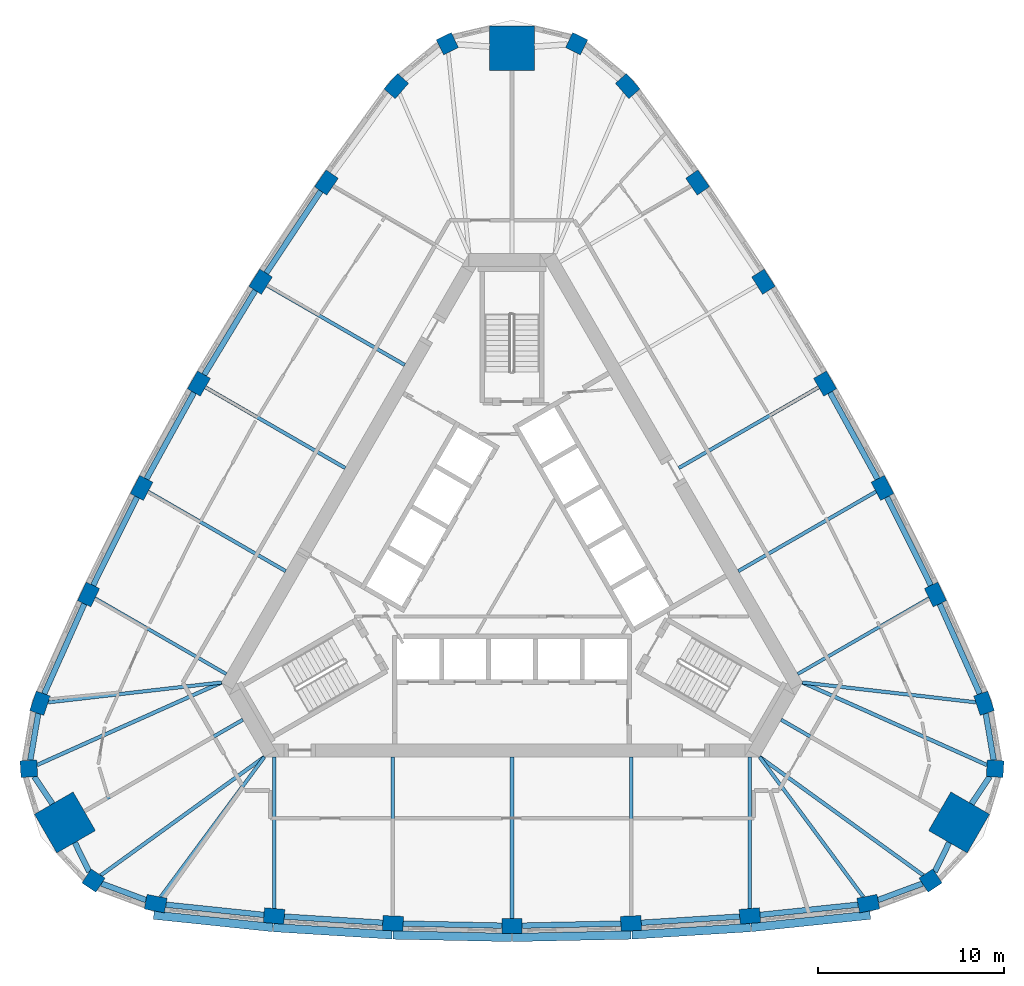
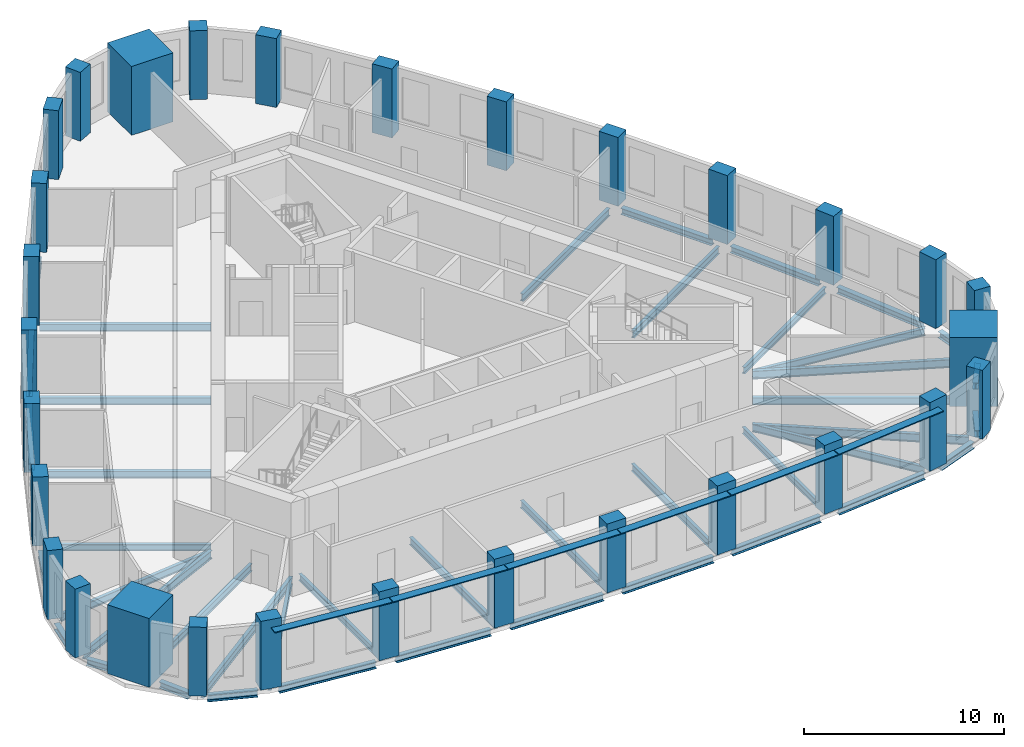
# One storey, part 1 of 11: 44 beams, 30 columns, 6 members.
"""IFC4 building model written with IfcOpenShell, lengths in metres."""

from ifc_helpers import new_model, si_unit, direction, frame, origin, origin_2d, place, context, subcontext, project, spatial, rectangle, i_section, extrude, material, material_profile, profile_set, type_object, element, save


model = new_model("IFC4")

# Units and contexts
model_context = context("Model", 3, precision=1e-05, world=origin(), true_north=direction((0.0, 1.0)))
body_context = subcontext(model_context, "Body", "Model", "MODEL_VIEW")
ifc_project = project(units=[si_unit("LENGTHUNIT", "METRE"), si_unit("AREAUNIT", "SQUARE_METRE"), si_unit("VOLUMEUNIT", "CUBIC_METRE"), si_unit("PLANEANGLEUNIT", "RADIAN"), si_unit("MASSUNIT", "GRAM", prefix="KILO")], contexts=[model_context])

# Site, building, storey
site_placement = place(None, origin())
site = spatial("IfcSite", under=ifc_project, at=site_placement, CompositionType="ELEMENT")
building_placement = place(site_placement, origin())
building = spatial("IfcBuilding", under=site, at=building_placement, Name="Mestral Congress Tower", CompositionType="ELEMENT")
storey_placement = place(building_placement, frame((0.0, 0.0, 210.0)))
storey = spatial("IfcBuildingStorey", under=building, at=storey_placement, Name="L49", CompositionType="ELEMENT", Elevation=210.0)

# Columns
ifc_material_1 = material(Name="Concrete C60/75", Category="concrete")
ifc_material_profile_1 = material_profile(ifc_material_1, rectangle(XDim=1.10009765625, YDim=0.800048828125, at=origin_2d()), Name="RC 1100x800")
ifc_profile_set_1 = profile_set([ifc_material_profile_1], Name="Concrete C60/75")
column_type_1 = type_object("IfcColumnType", Name="Column RC 1100x800 C60/75", PredefinedType="COLUMN", material=ifc_profile_set_1)
for number, where, z_axis, x_axis, name in (
    (1, (-19.150390625, -18.23681640625, 0.0), (0.0, 0.0, 1.0), (0.981324571854, -0.192359259395, 0.0), "COL-L49-C4-S00"),
    (2, (-12.785400390625, -18.899658203125, 0.0), (0.0, 0.0, 1.0), (0.996556680667, -0.082914306473, 0.0), "COL-L49-C4-S01"),
    (3, (-6.398193359375, -19.2978515625, 0.0), (0.0, 0.0, 1.0), (0.999138835542, -0.041492015025, 0.0), "COL-L49-C4-S02"),
    (4, (0.0, -19.4306640625, 0.0), (0.0, 0.0, 1.0), (1.0, 0.0, 0.0), "COL-L49-C4-S03"),
    (5, (6.398193359375, -19.2978515625, 0.0), (0.0, 0.0, 1.0), (0.999138835542, 0.041492015025, 0.0), "COL-L49-C4-S04"),
    (6, (12.785400390625, -18.899658203125, 0.0), (0.0, 0.0, 1.0), (0.996556680667, 0.082914306473, 0.0), "COL-L49-C4-S05"),
    (7, (19.150390625, -18.23681640625, 0.0), (0.0, 0.0, 1.0), (0.981324571854, 0.192359259395, 0.0), "COL-L49-C4-S06"),
    (8, (25.368896484375, -7.46630859375, 0.0), (0.0, 0.0, 1.0), (-0.324074280638, 0.946031638281, 0.0), "COL-L49-C4-E00"),
    (9, (22.76025390625, -1.62255859375, 0.0), (0.0, 0.0, 1.0), (-0.426472444591, 0.904500555005, 0.0), "COL-L49-C4-E01"),
    (10, (19.91162109375, 4.10791015625, 0.0), (0.0, 0.0, 1.0), (-0.463636278705, 0.886025621, 0.0), "COL-L49-C4-E02"),
    (11, (16.827392578125, 9.71533203125, 0.0), (0.0, 0.0, 1.0), (-0.5, 0.866025403784, 0.0), "COL-L49-C4-E03"),
    (12, (13.51318359375, 15.18994140625, 0.0), (0.0, 0.0, 1.0), (-0.535502556837, 0.844533605975, 0.0), "COL-L49-C4-E04"),
    (13, (9.974853515625, 20.522216796875, 0.0), (0.0, 0.0, 1.0), (-0.570084236076, 0.821586248532, 0.0), "COL-L49-C4-E05"),
    (14, (6.218505859375, 25.703125, 0.0), (0.0, 0.0, 1.0), (-0.657250291216, 0.753672378886, 0.0), "COL-L49-C4-E06"),
    (15, (-6.218505859375, 25.703125, 0.0), (0.0, 0.0, 1.0), (-0.657250291216, -0.753672378886, 0.0), "COL-L49-C4-W00"),
    (16, (-9.974853515625, 20.522216796875, 0.0), (0.0, 0.0, 1.0), (-0.570084236076, -0.821586248532, 0.0), "COL-L49-C4-W01"),
    (17, (-13.51318359375, 15.18994140625, 0.0), (0.0, 0.0, 1.0), (-0.535502556837, -0.844533605975, 0.0), "COL-L49-C4-W02"),
    (18, (-16.827392578125, 9.71533203125, 0.0), (0.0, 0.0, 1.0), (-0.5, -0.866025403784, 0.0), "COL-L49-C4-W03"),
    (19, (-19.91162109375, 4.10791015625, 0.0), (0.0, 0.0, 1.0), (-0.463636278705, -0.886025621, 0.0), "COL-L49-C4-W04"),
    (20, (-22.76025390625, -1.62255859375, 0.0), (0.0, 0.0, 1.0), (-0.426472444591, -0.904500555005, 0.0), "COL-L49-C4-W05"),
    (21, (-25.368896484375, -7.46630859375, 0.0), (0.0, 0.0, 1.0), (-0.324074280638, -0.946031638281, 0.0), "COL-L49-C4-W06"),
):
    element("IfcColumn", number, at=place(storey_placement, frame(where, z_axis=z_axis, x_axis=x_axis)), inside=storey, type_object=column_type_1, Name=name, PredefinedType="COLUMN", context=body_context, shape_type="SweptSolid", body=[
        extrude(rectangle(XDim=1.10009765625, YDim=0.800048828125, at=origin_2d()), origin(), (0.0, 0.0, 1.0), 4.199951171875),
    ])
ifc_material_profile_2 = material_profile(ifc_material_1, rectangle(XDim=0.89990234375, YDim=0.89990234375, at=origin_2d()), Name="RC 900x900")
ifc_profile_set_2 = profile_set([ifc_material_profile_2], Name="Concrete C60/75")
column_type_2 = type_object("IfcColumnType", Name="Column RC 900x900 C60/75", PredefinedType="COLUMN", material=ifc_profile_set_2)
for number, where, z_axis, x_axis, name in (
    (22, (22.494384765625, -16.99658203125, 0.0), (0.0, 0.0, 1.0), (0.833238868178, 0.552913183563, 0.0), "COL-L49-C4-SE1"),
    (23, (25.966552734375, -10.982421875, 0.0), (0.0, 0.0, 1.0), (0.062217428964, 0.998062619044, 0.0), "COL-L49-C4-SE3"),
    (24, (3.47216796875, 27.97900390625, 0.0), (0.0, 0.0, 1.0), (-0.895456297142, 0.445149435481, 0.0), "COL-L49-C4-N1"),
    (25, (-3.47216796875, 27.97900390625, 0.0), (0.0, 0.0, 1.0), (-0.895456297142, -0.445149435481, 0.0), "COL-L49-C4-N3"),
    (26, (-25.966552734375, -10.982421875, 0.0), (0.0, 0.0, 1.0), (0.062217428964, -0.998062619044, 0.0), "COL-L49-C4-SW1"),
    (27, (-22.494384765625, -16.99658203125, 0.0), (0.0, 0.0, 1.0), (0.833238868178, -0.552913183563, 0.0), "COL-L49-C4-SW3"),
):
    element("IfcColumn", number, at=place(storey_placement, frame(where, z_axis=z_axis, x_axis=x_axis)), inside=storey, type_object=column_type_2, Name=name, PredefinedType="COLUMN", context=body_context, shape_type="SweptSolid", body=[
        extrude(rectangle(XDim=0.89990234375, YDim=0.89990234375, at=origin_2d()), origin(), (0.0, 0.0, 1.0), 4.199951171875),
    ])
ifc_material_2 = material(Name="Concrete C70/85", Category="concrete")
ifc_material_profile_3 = material_profile(ifc_material_2, rectangle(XDim=2.39990234375, YDim=2.39990234375, at=origin_2d()), Name="RC 2400x2400")
ifc_profile_set_3 = profile_set([ifc_material_profile_3], Name="Concrete C70/85")
column_type_3 = type_object("IfcColumnType", Name="Mega column RC 2400x2400 C70/85", PredefinedType="COLUMN", material=ifc_profile_set_3)
for number, where, z_axis, x_axis, name in (
    (28, (24.02734375, -13.872314453125, 0.0), (0.0, 0.0, 1.0), (0.866025403784, -0.5, 0.0), "COL-L49-PY4-SE"),
    (29, (0.0, 27.744384765625, 0.0), (0.0, 0.0, 1.0), (0.0, 1.0, 0.0), "COL-L49-PY4-N"),
    (30, (-24.02734375, -13.872314453125, 0.0), (0.0, 0.0, 1.0), (-0.866025403784, -0.5, 0.0), "COL-L49-PY4-SW"),
):
    element("IfcColumn", number, at=place(storey_placement, frame(where, z_axis=z_axis, x_axis=x_axis)), inside=storey, type_object=column_type_3, Name=name, PredefinedType="COLUMN", context=body_context, shape_type="SweptSolid", body=[
        extrude(rectangle(XDim=2.39990234375, YDim=2.39990234375, at=origin_2d()), origin(), (0.0, 0.0, 1.0), 4.199951171875),
    ])

# Members
ifc_material_3 = material(Name="Glazed ceramic", Category="masonry")
ifc_material_profile_4 = material_profile(ifc_material_3, rectangle(XDim=0.449951171875, YDim=0.06005859375, at=origin_2d()), Name="Ceramic blade 450 x 60")
ifc_profile_set_4 = profile_set([ifc_material_profile_4], Name="Glazed ceramic")
member_type = type_object("IfcMemberType", Name="Facade sunshade blade 450 x 60", PredefinedType="USERDEFINED", material=ifc_profile_set_4)
member_1_placement = place(storey_placement, frame((-19.251708984375, -18.8544921875, 3.679931640625), z_axis=(0.994617919471, -0.103610782581, 0.0), x_axis=(0.103610782581, 0.994617919471, 0.0)))
element("IfcMember", 31, at=member_1_placement, inside=storey, type_object=member_type, Name="Sunshade F0-00", ObjectType="SUNSHADE", PredefinedType="USERDEFINED", context=body_context, shape_type="SweptSolid", body=[
    extrude(rectangle(XDim=0.449951171875, YDim=0.06005859375, at=origin_2d()), origin(), (0.0, 0.0, 1.0), 6.42578125),
])
member_2_placement = place(storey_placement, frame((-12.8134765625, -19.524169921875, 3.679931640625), z_axis=(0.99806373271, -0.062199561482, 0.0), x_axis=(0.062199561482, 0.99806373271, 0.0)))
element("IfcMember", 32, at=member_2_placement, inside=storey, type_object=member_type, Name="Sunshade F0-01", ObjectType="SUNSHADE", PredefinedType="USERDEFINED", context=body_context, shape_type="SweptSolid", body=[
    extrude(rectangle(XDim=0.449951171875, YDim=0.06005859375, at=origin_2d()), origin(), (0.0, 0.0, 1.0), 6.37841796875),
])
for number, where, z_axis, x_axis, name in (
    (33, (-6.400390625, -19.9228515625, 3.679931640625), (0.99978476383, -0.0207467109, 0.0), (0.0207467109, 0.99978476383, 0.0), "Sunshade F0-02"),
    (34, (0.023681640625, -20.05517578125, 3.679931640625), (0.99978476383, 0.0207467109, 0.0), (-0.0207467109, 0.99978476383, 0.0), "Sunshade F0-03"),
):
    element("IfcMember", number, at=place(storey_placement, frame(where, z_axis=z_axis, x_axis=x_axis)), inside=storey, type_object=member_type, Name=name, ObjectType="SUNSHADE", PredefinedType="USERDEFINED", context=body_context, shape_type="SweptSolid", body=[
        extrude(rectangle(XDim=0.449951171875, YDim=0.06005859375, at=origin_2d()), origin(), (0.0, 0.0, 1.0), 6.378173828125),
    ])
member_3_placement = place(storey_placement, frame((6.447509765625, -19.9208984375, 3.679931640625), z_axis=(0.99806373271, 0.062199561482, 0.0), x_axis=(-0.062199561482, 0.99806373271, 0.0)))
element("IfcMember", 35, at=member_3_placement, inside=storey, type_object=member_type, Name="Sunshade F0-04", ObjectType="SUNSHADE", PredefinedType="USERDEFINED", context=body_context, shape_type="SweptSolid", body=[
    extrude(rectangle(XDim=0.449951171875, YDim=0.06005859375, at=origin_2d()), origin(), (0.0, 0.0, 1.0), 6.37841796875),
])
member_4_placement = place(storey_placement, frame((12.860595703125, -19.520263671875, 3.679931640625), z_axis=(0.994617919471, 0.103610782581, 0.0), x_axis=(-0.103610782581, 0.994617919471, 0.0)))
element("IfcMember", 36, at=member_4_placement, inside=storey, type_object=member_type, Name="Sunshade F0-05", ObjectType="SUNSHADE", PredefinedType="USERDEFINED", context=body_context, shape_type="SweptSolid", body=[
    extrude(rectangle(XDim=0.449951171875, YDim=0.06005859375, at=origin_2d()), origin(), (0.0, 0.0, 1.0), 6.42578125),
])

# Beams
ifc_material_4 = material(Name="Steel S355", Category="steel")
ifc_material_profile_5 = material_profile(ifc_material_4, i_section(OverallWidth=0.179931640625, OverallDepth=0.39990234375, WebThickness=0.008544921875, FlangeThickness=0.013427734375, FilletRadius=0.02099609375, at=origin_2d()), Name="IPE 400")
ifc_profile_set_5 = profile_set([ifc_material_profile_5], Name="Steel S355")
beam_type_1 = type_object("IfcBeamType", Name="Floor beam IPE 400 S355", PredefinedType="BEAM", material=ifc_profile_set_5)
for number, where, z_axis, x_axis, name in (
    (37, (-12.785400390625, -18.498291015625, -0.449951171875), (0.0, 1.0, 0.0), (-1.0, 0.0, 0.0), "BM-L49-RB4-S01"),
    (38, (12.785400390625, -18.498291015625, -0.449951171875), (0.0, 1.0, 0.0), (-1.0, 0.0, 0.0), "BM-L49-RB4-S05"),
):
    element("IfcBeam", number, at=place(storey_placement, frame(where, z_axis=z_axis, x_axis=x_axis)), inside=storey, type_object=beam_type_1, Name=name, PredefinedType="BEAM", context=body_context, shape_type="SweptSolid", body=[
        extrude(i_section(OverallWidth=0.179931640625, OverallDepth=0.39990234375, WebThickness=0.008544921875, FlangeThickness=0.013427734375, FilletRadius=0.02099609375, at=origin_2d()), origin(), (0.0, 0.0, 1.0), 8.148193359375),
    ])
for number, where, z_axis, x_axis, name in (
    (39, (22.41259765625, -1.8232421875, -0.449951171875), (-0.866021929094, -0.500006018292, 0.0), (0.500006018292, -0.866021929094, 0.0), "BM-L49-RB4-E01"),
    (40, (-22.41259765625, -1.8232421875, -0.449951171875), (0.866021929094, -0.500006018292, 0.0), (0.500006018292, 0.866021929094, 0.0), "BM-L49-RB4-W05"),
):
    element("IfcBeam", number, at=place(storey_placement, frame(where, z_axis=z_axis, x_axis=x_axis)), inside=storey, type_object=beam_type_1, Name=name, PredefinedType="BEAM", context=body_context, shape_type="SweptSolid", body=[
        extrude(i_section(OverallWidth=0.179931640625, OverallDepth=0.39990234375, WebThickness=0.008544921875, FlangeThickness=0.013427734375, FilletRadius=0.02099609375, at=origin_2d()), origin(), (0.0, 0.0, 1.0), 8.1484375),
    ])
ifc_material_profile_6 = material_profile(ifc_material_4, i_section(OverallWidth=0.18994140625, OverallDepth=0.449951171875, WebThickness=0.009521484375, FlangeThickness=0.0146484375, FilletRadius=0.02099609375, at=origin_2d()), Name="IPE 450")
ifc_profile_set_6 = profile_set([ifc_material_profile_6], Name="Steel S355")
beam_type_2 = type_object("IfcBeamType", Name="Floor beam IPE 450 S355", PredefinedType="BEAM", material=ifc_profile_set_6)
beam_1_placement = place(storey_placement, frame((-18.88671875, -17.880859375, -0.47509765625), z_axis=(0.595263059859, 0.803530888994, 0.0), x_axis=(-0.803530888994, 0.595263059859, 0.0)))
element("IfcBeam", 41, at=beam_1_placement, inside=storey, type_object=beam_type_2, Name="BM-L49-RB4-S00", PredefinedType="BEAM", context=body_context, shape_type="SweptSolid", body=[
    extrude(i_section(OverallWidth=0.18994140625, OverallDepth=0.449951171875, WebThickness=0.009521484375, FlangeThickness=0.0146484375, FilletRadius=0.02099609375, at=origin_2d()), origin(), (0.0, 0.0, 1.0), 9.3720703125),
])
beam_2_placement = place(storey_placement, frame((-6.398193359375, -18.8974609375, -0.47509765625), z_axis=(0.0, 1.0, 0.0), x_axis=(-1.0, 0.0, 0.0)))
element("IfcBeam", 42, at=beam_2_placement, inside=storey, type_object=beam_type_2, Name="BM-L49-RB4-S02", PredefinedType="BEAM", context=body_context, shape_type="SweptSolid", body=[
    extrude(i_section(OverallWidth=0.18994140625, OverallDepth=0.449951171875, WebThickness=0.009521484375, FlangeThickness=0.0146484375, FilletRadius=0.02099609375, at=origin_2d()), origin(), (0.0, 0.0, 1.0), 8.54736328125),
])
beam_3_placement = place(storey_placement, frame((0.0, -19.030517578125, -0.47509765625), z_axis=(0.0, 1.0, 0.0), x_axis=(-1.0, 0.0, 0.0)))
element("IfcBeam", 43, at=beam_3_placement, inside=storey, type_object=beam_type_2, Name="BM-L49-RB4-S03", PredefinedType="BEAM", context=body_context, shape_type="SweptSolid", body=[
    extrude(i_section(OverallWidth=0.18994140625, OverallDepth=0.449951171875, WebThickness=0.009521484375, FlangeThickness=0.0146484375, FilletRadius=0.02099609375, at=origin_2d()), origin(), (0.0, 0.0, 1.0), 8.680419921875),
])
beam_4_placement = place(storey_placement, frame((6.398193359375, -18.8974609375, -0.47509765625), z_axis=(0.0, 1.0, 0.0), x_axis=(-1.0, 0.0, 0.0)))
element("IfcBeam", 44, at=beam_4_placement, inside=storey, type_object=beam_type_2, Name="BM-L49-RB4-S04", PredefinedType="BEAM", context=body_context, shape_type="SweptSolid", body=[
    extrude(i_section(OverallWidth=0.18994140625, OverallDepth=0.449951171875, WebThickness=0.009521484375, FlangeThickness=0.0146484375, FilletRadius=0.02099609375, at=origin_2d()), origin(), (0.0, 0.0, 1.0), 8.54736328125),
])
beam_5_placement = place(storey_placement, frame((18.88671875, -17.880859375, -0.47509765625), z_axis=(-0.595263059859, 0.803530888994, 0.0), x_axis=(-0.803530888994, -0.595263059859, 0.0)))
element("IfcBeam", 45, at=beam_5_placement, inside=storey, type_object=beam_type_2, Name="BM-L49-RB4-S06", PredefinedType="BEAM", context=body_context, shape_type="SweptSolid", body=[
    extrude(i_section(OverallWidth=0.18994140625, OverallDepth=0.449951171875, WebThickness=0.009521484375, FlangeThickness=0.0146484375, FilletRadius=0.02099609375, at=origin_2d()), origin(), (0.0, 0.0, 1.0), 9.3720703125),
])
beam_6_placement = place(storey_placement, frame((22.98828125, -13.272216796875, -0.47509765625), z_axis=(-0.866021631874, 0.500006533084, 0.0), x_axis=(-0.500006533084, -0.866021631874, 0.0)))
element("IfcBeam", 46, at=beam_6_placement, inside=storey, type_object=beam_type_2, Name="BM-L49-RB4-SE", PredefinedType="BEAM", context=body_context, shape_type="SweptSolid", body=[
    extrude(i_section(OverallWidth=0.18994140625, OverallDepth=0.449951171875, WebThickness=0.009521484375, FlangeThickness=0.0146484375, FilletRadius=0.02099609375, at=origin_2d()), origin(), (0.0, 0.0, 1.0), 9.844482421875),
])
beam_7_placement = place(storey_placement, frame((24.9287109375, -7.416015625, -0.47509765625), z_axis=(-0.99351166529, 0.11373025513, 0.0), x_axis=(-0.11373025513, -0.99351166529, 0.0)))
element("IfcBeam", 47, at=beam_7_placement, inside=storey, type_object=beam_type_2, Name="BM-L49-RB4-E00", PredefinedType="BEAM", context=body_context, shape_type="SweptSolid", body=[
    extrude(i_section(OverallWidth=0.18994140625, OverallDepth=0.449951171875, WebThickness=0.009521484375, FlangeThickness=0.0146484375, FilletRadius=0.02099609375, at=origin_2d()), origin(), (0.0, 0.0, 1.0), 9.372314453125),
])
beam_8_placement = place(storey_placement, frame((19.564697265625, 3.90771484375, -0.47509765625), z_axis=(-0.866028621479, -0.499994426748, 0.0), x_axis=(0.499994426748, -0.866028621479, 0.0)))
element("IfcBeam", 48, at=beam_8_placement, inside=storey, type_object=beam_type_2, Name="BM-L49-RB4-E02", PredefinedType="BEAM", context=body_context, shape_type="SweptSolid", body=[
    extrude(i_section(OverallWidth=0.18994140625, OverallDepth=0.449951171875, WebThickness=0.009521484375, FlangeThickness=0.0146484375, FilletRadius=0.02099609375, at=origin_2d()), origin(), (0.0, 0.0, 1.0), 8.54736328125),
])
beam_9_placement = place(storey_placement, frame((16.48095703125, 9.515380859375, -0.47509765625), z_axis=(-0.866022596503, -0.500004862322, 0.0), x_axis=(0.500004862322, -0.866022596503, 0.0)))
element("IfcBeam", 49, at=beam_9_placement, inside=storey, type_object=beam_type_2, Name="BM-L49-RB4-E03", PredefinedType="BEAM", context=body_context, shape_type="SweptSolid", body=[
    extrude(i_section(OverallWidth=0.18994140625, OverallDepth=0.449951171875, WebThickness=0.009521484375, FlangeThickness=0.0146484375, FilletRadius=0.02099609375, at=origin_2d()), origin(), (0.0, 0.0, 1.0), 8.6806640625),
])
beam_10_placement = place(storey_placement, frame((-13.16650390625, 14.98974609375, -0.47509765625), z_axis=(0.866028621479, -0.499994426748, 0.0), x_axis=(0.499994426748, 0.866028621479, 0.0)))
element("IfcBeam", 50, at=beam_10_placement, inside=storey, type_object=beam_type_2, Name="BM-L49-RB4-W02", PredefinedType="BEAM", context=body_context, shape_type="SweptSolid", body=[
    extrude(i_section(OverallWidth=0.18994140625, OverallDepth=0.449951171875, WebThickness=0.009521484375, FlangeThickness=0.0146484375, FilletRadius=0.02099609375, at=origin_2d()), origin(), (0.0, 0.0, 1.0), 8.54736328125),
])
beam_11_placement = place(storey_placement, frame((-16.48095703125, 9.515380859375, -0.47509765625), z_axis=(0.866022596503, -0.500004862322, 0.0), x_axis=(0.500004862322, 0.866022596503, 0.0)))
element("IfcBeam", 51, at=beam_11_placement, inside=storey, type_object=beam_type_2, Name="BM-L49-RB4-W03", PredefinedType="BEAM", context=body_context, shape_type="SweptSolid", body=[
    extrude(i_section(OverallWidth=0.18994140625, OverallDepth=0.449951171875, WebThickness=0.009521484375, FlangeThickness=0.0146484375, FilletRadius=0.02099609375, at=origin_2d()), origin(), (0.0, 0.0, 1.0), 8.6806640625),
])
beam_12_placement = place(storey_placement, frame((-19.564697265625, 3.90771484375, -0.47509765625), z_axis=(0.866028621479, -0.499994426748, 0.0), x_axis=(0.499994426748, 0.866028621479, 0.0)))
element("IfcBeam", 52, at=beam_12_placement, inside=storey, type_object=beam_type_2, Name="BM-L49-RB4-W04", PredefinedType="BEAM", context=body_context, shape_type="SweptSolid", body=[
    extrude(i_section(OverallWidth=0.18994140625, OverallDepth=0.449951171875, WebThickness=0.009521484375, FlangeThickness=0.0146484375, FilletRadius=0.02099609375, at=origin_2d()), origin(), (0.0, 0.0, 1.0), 8.54736328125),
])
beam_13_placement = place(storey_placement, frame((-24.9287109375, -7.416015625, -0.47509765625), z_axis=(0.99351166529, 0.11373025513, 0.0), x_axis=(-0.11373025513, 0.99351166529, 0.0)))
element("IfcBeam", 53, at=beam_13_placement, inside=storey, type_object=beam_type_2, Name="BM-L49-RB4-W06", PredefinedType="BEAM", context=body_context, shape_type="SweptSolid", body=[
    extrude(i_section(OverallWidth=0.18994140625, OverallDepth=0.449951171875, WebThickness=0.009521484375, FlangeThickness=0.0146484375, FilletRadius=0.02099609375, at=origin_2d()), origin(), (0.0, 0.0, 1.0), 9.372314453125),
])
beam_14_placement = place(storey_placement, frame((-22.98828125, -13.272216796875, -0.47509765625), z_axis=(0.866021631874, 0.500006533084, 0.0), x_axis=(-0.500006533084, 0.866021631874, 0.0)))
element("IfcBeam", 54, at=beam_14_placement, inside=storey, type_object=beam_type_2, Name="BM-L49-RB4-SW", PredefinedType="BEAM", context=body_context, shape_type="SweptSolid", body=[
    extrude(i_section(OverallWidth=0.18994140625, OverallDepth=0.449951171875, WebThickness=0.009521484375, FlangeThickness=0.0146484375, FilletRadius=0.02099609375, at=origin_2d()), origin(), (0.0, 0.0, 1.0), 9.844482421875),
])
ifc_material_profile_7 = material_profile(ifc_material_4, i_section(OverallWidth=0.199951171875, OverallDepth=0.5, WebThickness=0.01025390625, FlangeThickness=0.01611328125, FilletRadius=0.02099609375, at=origin_2d()), Name="IPE 500")
ifc_profile_set_7 = profile_set([ifc_material_profile_7], Name="Steel S355")
beam_type_3 = type_object("IfcBeamType", Name="Floor beam IPE 500 S355", PredefinedType="BEAM", material=ifc_profile_set_7)
beam_15_placement = place(storey_placement, frame((22.10498046875, -16.71484375, -0.5), z_axis=(-0.810186242112, 0.586172545496, 0.0), x_axis=(-0.586172545496, -0.810186242112, 0.0)))
element("IfcBeam", 55, at=beam_15_placement, inside=storey, type_object=beam_type_3, Name="BM-L49-RB4-SE1", PredefinedType="BEAM", context=body_context, shape_type="SweptSolid", body=[
    extrude(i_section(OverallWidth=0.199951171875, OverallDepth=0.5, WebThickness=0.01025390625, FlangeThickness=0.01611328125, FilletRadius=0.02099609375, at=origin_2d()), origin(), (0.0, 0.0, 1.0), 10.858154296875),
])
for number, where, z_axis, x_axis, name in (
    (56, (25.528076171875, -10.7861328125, -0.5), (-0.912742142995, 0.408536143323, 0.0), (-0.408536143323, -0.912742142995, 0.0), "BM-L49-RB4-SE3"),
    (57, (-25.528076171875, -10.7861328125, -0.5), (0.912742142995, 0.408536143323, 0.0), (-0.408536143323, 0.912742142995, 0.0), "BM-L49-RB4-SW1"),
):
    element("IfcBeam", number, at=place(storey_placement, frame(where, z_axis=z_axis, x_axis=x_axis)), inside=storey, type_object=beam_type_3, Name=name, PredefinedType="BEAM", context=body_context, shape_type="SweptSolid", body=[
        extrude(i_section(OverallWidth=0.199951171875, OverallDepth=0.5, WebThickness=0.01025390625, FlangeThickness=0.01611328125, FilletRadius=0.02099609375, at=origin_2d()), origin(), (0.0, 0.0, 1.0), 10.8583984375),
    ])
beam_16_placement = place(storey_placement, frame((-22.10498046875, -16.71484375, -0.5), z_axis=(0.810186242112, 0.586172545496, 0.0), x_axis=(-0.586172545496, 0.810186242112, 0.0)))
element("IfcBeam", 58, at=beam_16_placement, inside=storey, type_object=beam_type_3, Name="BM-L49-RB4-SW3", PredefinedType="BEAM", context=body_context, shape_type="SweptSolid", body=[
    extrude(i_section(OverallWidth=0.199951171875, OverallDepth=0.5, WebThickness=0.01025390625, FlangeThickness=0.01611328125, FilletRadius=0.02099609375, at=origin_2d()), origin(), (0.0, 0.0, 1.0), 10.858154296875),
])
ifc_material_profile_8 = material_profile(ifc_material_4, i_section(OverallWidth=0.300048828125, OverallDepth=0.389892578125, WebThickness=0.010986328125, FlangeThickness=0.01904296875, FilletRadius=0.027099609375, at=origin_2d()), Name="HEA 400")
ifc_profile_set_8 = profile_set([ifc_material_profile_8], Name="Steel S355")
beam_type_4 = type_object("IfcBeamType", Name="Spandrel beam HEA 400 S355", PredefinedType="BEAM", material=ifc_profile_set_8)
beam_17_placement = place(storey_placement, frame((-18.60107421875, -18.2939453125, -0.445068359375), z_axis=(0.994618013093, -0.103609883848, 0.0), x_axis=(0.103609883848, 0.994618013093, 0.0)))
element("IfcBeam", 59, at=beam_17_placement, inside=storey, type_object=beam_type_4, Name="SP-L49-SB4-S00", PredefinedType="BEAM", context=body_context, shape_type="SweptSolid", body=[
    extrude(i_section(OverallWidth=0.300048828125, OverallDepth=0.389892578125, WebThickness=0.010986328125, FlangeThickness=0.01904296875, FilletRadius=0.027099609375, at=origin_2d()), origin(), (0.0, 0.0, 1.0), 5.297119140625),
])
for number, where, z_axis, x_axis, name in (
    (60, (-12.236328125, -18.933837890625, -0.445068359375), (0.998061173507, -0.062240613248, 0.0), (0.062240613248, 0.998061173507, 0.0), "SP-L49-SB4-S01"),
    (61, (-5.84814453125, -19.309326171875, -0.445068359375), (0.999785070758, -0.020731914743, 0.0), (0.020731914743, 0.999785070758, 0.0), "SP-L49-SB4-S02"),
    (62, (0.550048828125, -19.419189453125, -0.445068359375), (0.999785070758, 0.020731914743, 0.0), (-0.020731914743, 0.999785070758, 0.0), "SP-L49-SB4-S03"),
    (63, (6.947265625, -19.263671875, -0.445068359375), (0.998061173507, 0.062240613248, 0.0), (-0.062240613248, 0.998061173507, 0.0), "SP-L49-SB4-S04"),
):
    element("IfcBeam", number, at=place(storey_placement, frame(where, z_axis=z_axis, x_axis=x_axis)), inside=storey, type_object=beam_type_4, Name=name, PredefinedType="BEAM", context=body_context, shape_type="SweptSolid", body=[
        extrude(i_section(OverallWidth=0.300048828125, OverallDepth=0.389892578125, WebThickness=0.010986328125, FlangeThickness=0.01904296875, FilletRadius=0.027099609375, at=origin_2d()), origin(), (0.0, 0.0, 1.0), 5.29931640625),
    ])
beam_18_placement = place(storey_placement, frame((13.33251953125, -18.8427734375, -0.445068359375), z_axis=(0.994618013093, 0.103609883848, 0.0), x_axis=(-0.103609883848, 0.994618013093, 0.0)))
element("IfcBeam", 64, at=beam_18_placement, inside=storey, type_object=beam_type_4, Name="SP-L49-SB4-S05", PredefinedType="BEAM", context=body_context, shape_type="SweptSolid", body=[
    extrude(i_section(OverallWidth=0.300048828125, OverallDepth=0.389892578125, WebThickness=0.010986328125, FlangeThickness=0.01904296875, FilletRadius=0.027099609375, at=origin_2d()), origin(), (0.0, 0.0, 1.0), 5.297119140625),
])
beam_19_placement = place(storey_placement, frame((19.6728515625, -18.04296875, -0.445068359375), z_axis=(0.937591421971, 0.347738875374, 0.0), x_axis=(-0.347738875374, 0.937591421971, 0.0)))
element("IfcBeam", 65, at=beam_19_placement, inside=storey, type_object=beam_type_4, Name="SP-L49-SB4-S06", PredefinedType="BEAM", context=body_context, shape_type="SweptSolid", body=[
    extrude(i_section(OverallWidth=0.300048828125, OverallDepth=0.389892578125, WebThickness=0.010986328125, FlangeThickness=0.01904296875, FilletRadius=0.027099609375, at=origin_2d()), origin(), (0.0, 0.0, 1.0), 2.547119140625),
])
for number, where, z_axis, x_axis, name in (
    (66, (22.723876953125, -16.528564453125, -0.445068359375), (0.440528581483, 0.897738586058, 0.0), (-0.897738586058, 0.440528581483, 0.0), "SP-L49-SB4-SE1"),
    (67, (24.697509765625, -12.87353515625, -0.445068359375), (0.557295931564, 0.830313943435, 0.0), (-0.830313943435, 0.557295931564, 0.0), "SP-L49-SB4-SE"),
):
    element("IfcBeam", number, at=place(storey_placement, frame(where, z_axis=z_axis, x_axis=x_axis)), inside=storey, type_object=beam_type_4, Name=name, PredefinedType="BEAM", context=body_context, shape_type="SweptSolid", body=[
        extrude(i_section(OverallWidth=0.300048828125, OverallDepth=0.389892578125, WebThickness=0.010986328125, FlangeThickness=0.01904296875, FilletRadius=0.027099609375, at=origin_2d()), origin(), (0.0, 0.0, 1.0), 1.75634765625),
    ])
beam_20_placement = place(storey_placement, frame((25.88916015625, -10.52685546875, -0.445068359375), z_axis=(-0.167630891496, 0.98584982843, 0.0), x_axis=(-0.98584982843, -0.167630891496, 0.0)))
element("IfcBeam", 68, at=beam_20_placement, inside=storey, type_object=beam_type_4, Name="SP-L49-SB4-SE3", PredefinedType="BEAM", context=body_context, shape_type="SweptSolid", body=[
    extrude(i_section(OverallWidth=0.300048828125, OverallDepth=0.389892578125, WebThickness=0.010986328125, FlangeThickness=0.01904296875, FilletRadius=0.027099609375, at=origin_2d()), origin(), (0.0, 0.0, 1.0), 2.54736328125),
])
beam_21_placement = place(storey_placement, frame((25.143798828125, -6.9619140625, -0.445068359375), z_axis=(-0.407626134336, 0.913148911518, 0.0), x_axis=(-0.913148911518, -0.407626134336, 0.0)))
element("IfcBeam", 69, at=beam_21_placement, inside=storey, type_object=beam_type_4, Name="SP-L49-SB4-E00", PredefinedType="BEAM", context=body_context, shape_type="SweptSolid", body=[
    extrude(i_section(OverallWidth=0.300048828125, OverallDepth=0.389892578125, WebThickness=0.010986328125, FlangeThickness=0.01904296875, FilletRadius=0.027099609375, at=origin_2d()), origin(), (0.0, 0.0, 1.0), 5.296875),
])
beam_22_placement = place(storey_placement, frame((22.515380859375, -1.1298828125, -0.445068359375), z_axis=(-0.445148375831, 0.895456823914, 0.0), x_axis=(-0.895456823914, -0.445148375831, 0.0)))
element("IfcBeam", 70, at=beam_22_placement, inside=storey, type_object=beam_type_4, Name="SP-L49-SB4-E01", PredefinedType="BEAM", context=body_context, shape_type="SweptSolid", body=[
    extrude(i_section(OverallWidth=0.300048828125, OverallDepth=0.389892578125, WebThickness=0.010986328125, FlangeThickness=0.01904296875, FilletRadius=0.027099609375, at=origin_2d()), origin(), (0.0, 0.0, 1.0), 5.299072265625),
])
beam_23_placement = place(storey_placement, frame((19.646484375, 4.58984375, -0.445068359375), z_axis=(-0.481918749772, 0.876215908677, 0.0), x_axis=(-0.876215908677, -0.481918749772, 0.0)))
element("IfcBeam", 71, at=beam_23_placement, inside=storey, type_object=beam_type_4, Name="SP-L49-SB4-E02", PredefinedType="BEAM", context=body_context, shape_type="SweptSolid", body=[
    extrude(i_section(OverallWidth=0.300048828125, OverallDepth=0.389892578125, WebThickness=0.010986328125, FlangeThickness=0.01904296875, FilletRadius=0.027099609375, at=origin_2d()), origin(), (0.0, 0.0, 1.0), 5.299560546875),
])
for number, where, z_axis, x_axis, name in (
    (72, (-10.279052734375, 20.063720703125, -0.445068359375), (-0.552934106774, -0.833224983762, 0.0), (0.833224983762, -0.552934106774, 0.0), "SP-L49-SB4-W01"),
    (73, (-13.798095703125, 14.71923828125, -0.445068359375), (-0.517865676042, -0.855461946306, 0.0), (0.855461946306, -0.517865676042, 0.0), "SP-L49-SB4-W02"),
):
    element("IfcBeam", number, at=place(storey_placement, frame(where, z_axis=z_axis, x_axis=x_axis)), inside=storey, type_object=beam_type_4, Name=name, PredefinedType="BEAM", context=body_context, shape_type="SweptSolid", body=[
        extrude(i_section(OverallWidth=0.300048828125, OverallDepth=0.389892578125, WebThickness=0.010986328125, FlangeThickness=0.01904296875, FilletRadius=0.027099609375, at=origin_2d()), origin(), (0.0, 0.0, 1.0), 5.29931640625),
    ])
beam_24_placement = place(storey_placement, frame((-17.092529296875, 9.2333984375, -0.445068359375), z_axis=(-0.481918749772, -0.876215908677, 0.0), x_axis=(0.876215908677, -0.481918749772, 0.0)))
element("IfcBeam", 74, at=beam_24_placement, inside=storey, type_object=beam_type_4, Name="SP-L49-SB4-W03", PredefinedType="BEAM", context=body_context, shape_type="SweptSolid", body=[
    extrude(i_section(OverallWidth=0.300048828125, OverallDepth=0.389892578125, WebThickness=0.010986328125, FlangeThickness=0.01904296875, FilletRadius=0.027099609375, at=origin_2d()), origin(), (0.0, 0.0, 1.0), 5.299560546875),
])
beam_25_placement = place(storey_placement, frame((-20.156494140625, 3.615234375, -0.445068359375), z_axis=(-0.445148375831, -0.895456823914, 0.0), x_axis=(0.895456823914, -0.445148375831, 0.0)))
element("IfcBeam", 75, at=beam_25_placement, inside=storey, type_object=beam_type_4, Name="SP-L49-SB4-W04", PredefinedType="BEAM", context=body_context, shape_type="SweptSolid", body=[
    extrude(i_section(OverallWidth=0.300048828125, OverallDepth=0.389892578125, WebThickness=0.010986328125, FlangeThickness=0.01904296875, FilletRadius=0.027099609375, at=origin_2d()), origin(), (0.0, 0.0, 1.0), 5.299072265625),
])
beam_26_placement = place(storey_placement, frame((-22.984619140625, -2.125, -0.445068359375), z_axis=(-0.407626134336, -0.913148911518, 0.0), x_axis=(0.913148911518, -0.407626134336, 0.0)))
element("IfcBeam", 76, at=beam_26_placement, inside=storey, type_object=beam_type_4, Name="SP-L49-SB4-W05", PredefinedType="BEAM", context=body_context, shape_type="SweptSolid", body=[
    extrude(i_section(OverallWidth=0.300048828125, OverallDepth=0.389892578125, WebThickness=0.010986328125, FlangeThickness=0.01904296875, FilletRadius=0.027099609375, at=origin_2d()), origin(), (0.0, 0.0, 1.0), 5.296875),
])
beam_27_placement = place(storey_placement, frame((-25.462158203125, -8.015625, -0.445068359375), z_axis=(-0.167630891496, -0.98584982843, 0.0), x_axis=(0.98584982843, -0.167630891496, 0.0)))
element("IfcBeam", 77, at=beam_27_placement, inside=storey, type_object=beam_type_4, Name="SP-L49-SB4-W06", PredefinedType="BEAM", context=body_context, shape_type="SweptSolid", body=[
    extrude(i_section(OverallWidth=0.300048828125, OverallDepth=0.389892578125, WebThickness=0.010986328125, FlangeThickness=0.01904296875, FilletRadius=0.027099609375, at=origin_2d()), origin(), (0.0, 0.0, 1.0), 2.54736328125),
])
for number, where, z_axis, x_axis, name in (
    (78, (-25.67626953125, -11.415283203125, -0.445068359375), (0.557295931564, -0.830313943435, 0.0), (0.830313943435, 0.557295931564, 0.0), "SP-L49-SB4-SW1"),
    (79, (-23.49755859375, -14.951904296875, -0.445068359375), (0.440528581483, -0.897738586058, 0.0), (0.897738586058, 0.440528581483, 0.0), "SP-L49-SB4-SW"),
):
    element("IfcBeam", number, at=place(storey_placement, frame(where, z_axis=z_axis, x_axis=x_axis)), inside=storey, type_object=beam_type_4, Name=name, PredefinedType="BEAM", context=body_context, shape_type="SweptSolid", body=[
        extrude(i_section(OverallWidth=0.300048828125, OverallDepth=0.389892578125, WebThickness=0.010986328125, FlangeThickness=0.01904296875, FilletRadius=0.027099609375, at=origin_2d()), origin(), (0.0, 0.0, 1.0), 1.75634765625),
    ])
beam_28_placement = place(storey_placement, frame((-22.06103515625, -17.1572265625, -0.445068359375), z_axis=(0.937591421971, -0.347738875374, 0.0), x_axis=(0.347738875374, 0.937591421971, 0.0)))
element("IfcBeam", 80, at=beam_28_placement, inside=storey, type_object=beam_type_4, Name="SP-L49-SB4-SW3", PredefinedType="BEAM", context=body_context, shape_type="SweptSolid", body=[
    extrude(i_section(OverallWidth=0.300048828125, OverallDepth=0.389892578125, WebThickness=0.010986328125, FlangeThickness=0.01904296875, FilletRadius=0.027099609375, at=origin_2d()), origin(), (0.0, 0.0, 1.0), 2.547119140625),
])

save(model, "model.ifc")
